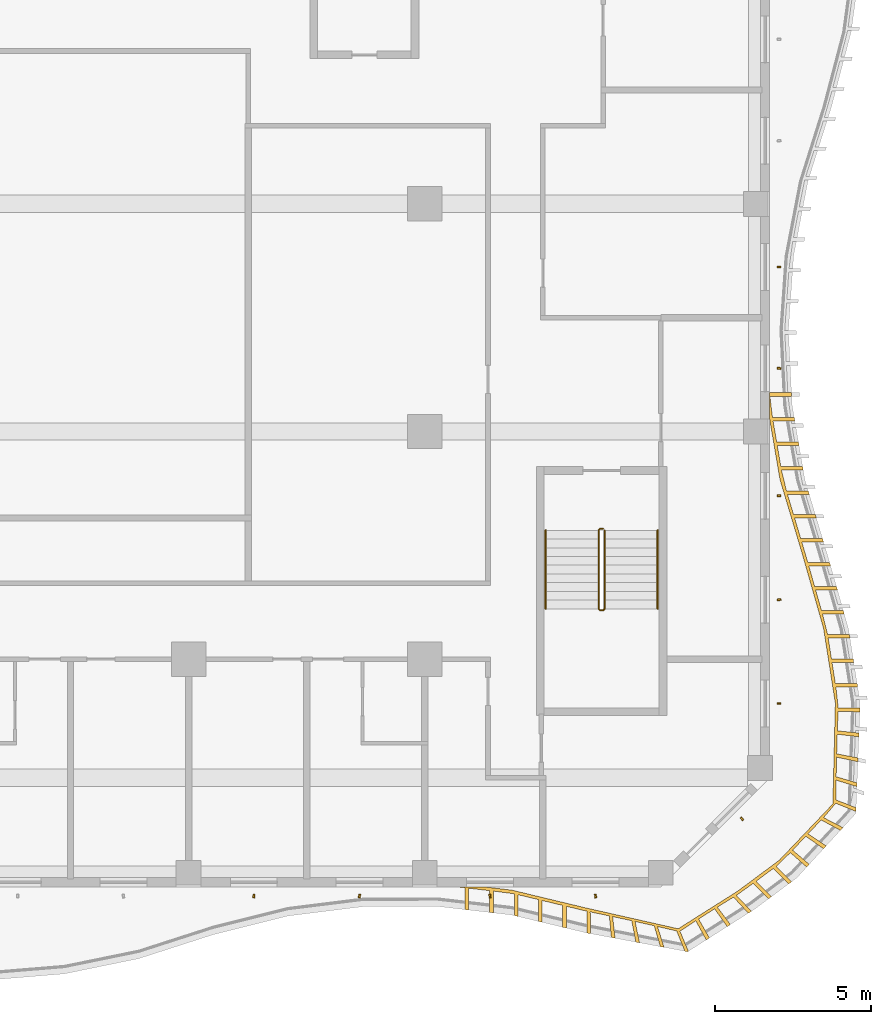
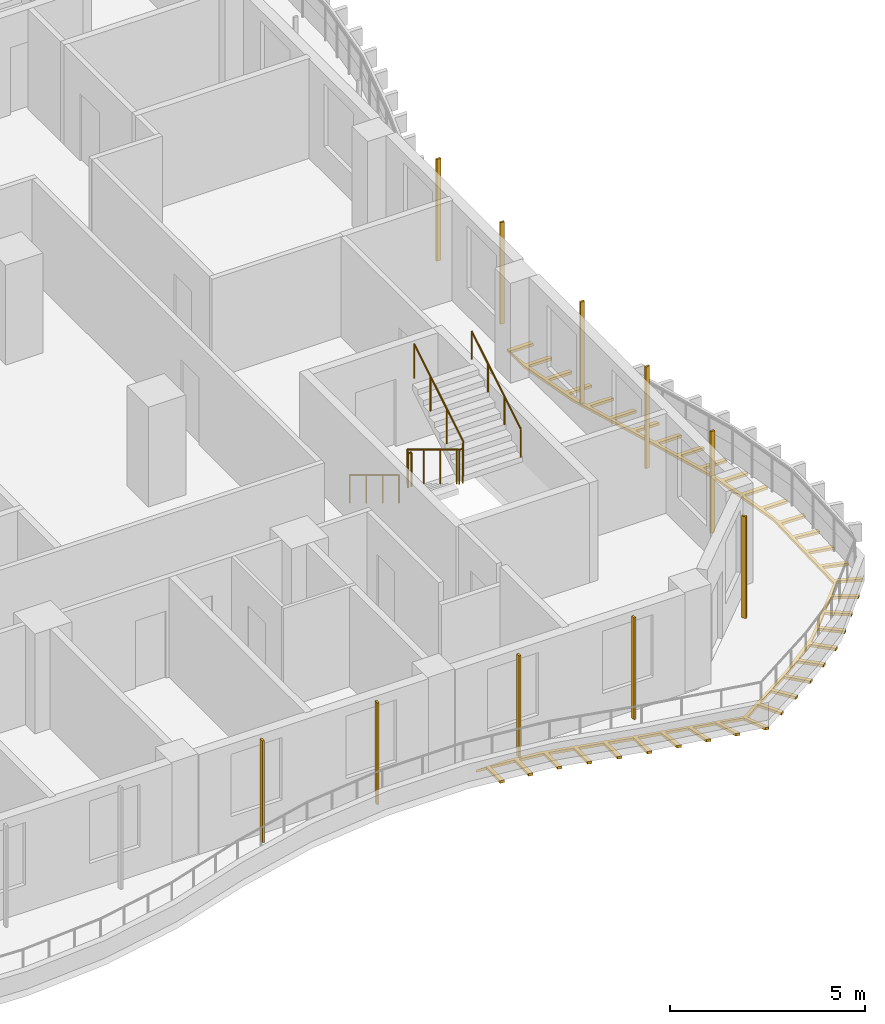
# One storey, part 18 of 23: 11 shading devices, 3 railings.
"""IFC4 building model written with IfcOpenShell, lengths in metres."""

from ifc_helpers import new_model, si_unit, direction, frame, origin, origin_2d, place, context, subcontext, project, spatial, polyline, rectangle, circle, outline, extrude, source, transform, mapped, material, layer, layer_set, material_profile, profile_set, type_object, element, save


model = new_model("IFC4")

# Units and contexts
model_context = context("Model", 3, precision=1e-05, world=origin(), true_north=direction((0.0, 1.0)))
body_context = subcontext(model_context, "Body", "Model", "MODEL_VIEW")
ifc_project = project(units=[si_unit("LENGTHUNIT", "METRE"), si_unit("AREAUNIT", "SQUARE_METRE"), si_unit("VOLUMEUNIT", "CUBIC_METRE"), si_unit("PLANEANGLEUNIT", "RADIAN"), si_unit("MASSUNIT", "GRAM", prefix="KILO")], contexts=[model_context])

# Site, building, storey
site_placement = place(None, origin())
site = spatial("IfcSite", under=ifc_project, at=site_placement, CompositionType="ELEMENT")
building_placement = place(site_placement, origin())
building = spatial("IfcBuilding", under=site, at=building_placement, Name="Kilnfold Tower and Market Hall", CompositionType="ELEMENT")
storey_placement = place(building_placement, frame((0.0, 0.0, 150.699951171875)))
storey = spatial("IfcBuildingStorey", under=building, at=storey_placement, Name="L34", CompositionType="ELEMENT", Elevation=150.699951171875)

# Railings
ifc_material_1 = material(Name="Stainless steel 316", Category="steel")
railing_type_1 = type_object("IfcRailingType", Name="CORE STAIR GUARD 1100", PredefinedType="GUARDRAIL", material=ifc_material_1)
railing_1_placement = place(storey_placement, frame((19.89990234375, -9.75, 0.0)))
element("IfcRailing", 1, at=railing_1_placement, inside=storey, type_object=railing_type_1, Name="L34 ST4 stair guard 1", PredefinedType="GUARDRAIL", context=body_context, shape_type="SweptSolid", body=[
    extrude(circle(Radius=0.02392578125, at=origin_2d()), frame((0.0, 0.0, 1.076171875), z_axis=(-1.0, 0.0, 0.0), x_axis=(0.0, -1.0, 0.0)), (0.0, 0.0, 1.0), 0.099853515625),
    extrude(circle(Radius=0.02392578125, at=origin_2d()), frame((-0.099853515625, 0.0, 1.076171875), z_axis=(-0.271562723297, -0.271562723297, 0.923313259209), x_axis=(0.707106781187, -0.707106781187, 0.0)), (0.0, 0.0, 1.0), 0.184326171875),
    extrude(circle(Radius=0.02392578125, at=origin_2d()), frame((-0.14990234375, -0.050048828125, 1.24609375), z_axis=(0.0, -0.854821627497, 0.518921945155), x_axis=(1.0, 0.0, 0.0)), (0.0, 0.0, 1.0), 2.947998046875),
    extrude(circle(Radius=0.02392578125, at=origin_2d()), frame((-0.14990234375, -2.570068359375, 2.77587890625), z_axis=(0.707106781187, -0.707106781187, 0.0), x_axis=(0.707106781187, 0.707106781187, 0.0)), (0.0, 0.0, 1.0), 0.07080078125),
    extrude(circle(Radius=0.02392578125, at=origin_2d()), frame((-0.099853515625, -2.6201171875, 2.77587890625), z_axis=(1.0, 0.0, 0.0), x_axis=(0.0, 1.0, 0.0)), (0.0, 0.0, 1.0), 0.099853515625),
    extrude(circle(Radius=0.02392578125, at=origin_2d()), frame((0.0, -2.6201171875, 2.77587890625), z_axis=(0.271562723297, 0.271562723297, 0.923313259209), x_axis=(-0.707106781187, 0.707106781187, 0.0)), (0.0, 0.0, 1.0), 0.184326171875),
    extrude(circle(Radius=0.02392578125, at=origin_2d()), frame((0.050048828125, -2.570068359375, 2.9462890625), z_axis=(0.0, 0.85478489116, 0.518982456201), x_axis=(-1.0, 0.0, 0.0)), (0.0, 0.0, 1.0), 2.9482421875),
    extrude(circle(Radius=0.02099609375, at=origin_2d()), origin(), (0.0, 0.0, 1.0), 1.052001953125),
    extrude(circle(Radius=0.02099609375, at=origin_2d()), frame((-0.099853515625, 0.0, 0.0)), (0.0, 0.0, 1.0), 1.052001953125),
    extrude(circle(Radius=0.02099609375, at=origin_2d()), frame((-0.14990234375, -0.050048828125, 0.170166015625)), (0.0, 0.0, 1.0), 1.052001953125),
    extrude(circle(Radius=0.02099609375, at=origin_2d()), frame((-0.14990234375, -0.89013671875, 0.68017578125)), (0.0, 0.0, 1.0), 1.052001953125),
    extrude(circle(Radius=0.02099609375, at=origin_2d()), frame((-0.14990234375, -1.72998046875, 1.18994140625)), (0.0, 0.0, 1.0), 1.052001953125),
    extrude(circle(Radius=0.02099609375, at=origin_2d()), frame((-0.14990234375, -2.570068359375, 1.699951171875)), (0.0, 0.0, 1.0), 1.052001953125),
    extrude(circle(Radius=0.02099609375, at=origin_2d()), frame((-0.099853515625, -2.6201171875, 1.699951171875)), (0.0, 0.0, 1.0), 1.052001953125),
    extrude(circle(Radius=0.02099609375, at=origin_2d()), frame((0.0, -2.6201171875, 1.699951171875)), (0.0, 0.0, 1.0), 1.052001953125),
    extrude(circle(Radius=0.02099609375, at=origin_2d()), frame((0.050048828125, -2.570068359375, 1.8701171875)), (0.0, 0.0, 1.0), 1.052001953125),
    extrude(circle(Radius=0.02099609375, at=origin_2d()), frame((0.050048828125, -1.72998046875, 2.380126953125)), (0.0, 0.0, 1.0), 1.052001953125),
    extrude(circle(Radius=0.02099609375, at=origin_2d()), frame((0.050048828125, -0.89013671875, 2.89013671875)), (0.0, 0.0, 1.0), 1.052001953125),
    extrude(circle(Radius=0.02099609375, at=origin_2d()), frame((0.050048828125, -0.050048828125, 3.400146484375)), (0.0, 0.0, 1.0), 1.052001953125),
])
ifc_material_2 = material(Name="Stainless steel 316", Category="steel")
railing_type_2 = type_object("IfcRailingType", Name="CORE STAIR HANDRAIL 900", PredefinedType="HANDRAIL", material=ifc_material_2)
railing_2_placement = place(storey_placement, frame((18.050048828125, -9.800048828125, 0.170166015625)))
element("IfcRailing", 2, at=railing_2_placement, inside=storey, type_object=railing_type_2, Name="L34 ST4 stair handrail 1", PredefinedType="HANDRAIL", context=body_context, shape_type="SweptSolid", body=[
    extrude(circle(Radius=0.02392578125, at=origin_2d()), frame((0.0, 0.0, 0.8759765625), z_axis=(0.0, -0.854821627497, 0.518921945155), x_axis=(1.0, 0.0, 0.0)), (0.0, 0.0, 1.0), 2.947998046875),
    extrude(circle(Radius=0.02099609375, at=origin_2d()), origin(), (0.0, 0.0, 1.0), 0.851806640625),
    extrude(circle(Radius=0.02099609375, at=origin_2d()), frame((0.0, -0.840087890625, 0.510009765625)), (0.0, 0.0, 1.0), 0.851806640625),
    extrude(circle(Radius=0.02099609375, at=origin_2d()), frame((0.0, -1.679931640625, 1.019775390625)), (0.0, 0.0, 1.0), 0.851806640625),
    extrude(circle(Radius=0.02099609375, at=origin_2d()), frame((0.0, -2.52001953125, 1.52978515625)), (0.0, 0.0, 1.0), 0.851806640625),
])
railing_3_placement = place(storey_placement, frame((21.64990234375, -12.320068359375, 1.8701171875)))
element("IfcRailing", 3, at=railing_3_placement, inside=storey, type_object=railing_type_2, Name="L34 ST4 stair handrail 2", PredefinedType="HANDRAIL", context=body_context, shape_type="SweptSolid", body=[
    extrude(circle(Radius=0.02392578125, at=origin_2d()), frame((0.0, 0.0, 0.8759765625), z_axis=(0.0, 0.85478489116, 0.518982456201), x_axis=(-1.0, 0.0, 0.0)), (0.0, 0.0, 1.0), 2.9482421875),
    extrude(circle(Radius=0.02099609375, at=origin_2d()), origin(), (0.0, 0.0, 1.0), 0.851806640625),
    extrude(circle(Radius=0.02099609375, at=origin_2d()), frame((0.0, 0.840087890625, 0.510009765625)), (0.0, 0.0, 1.0), 0.851806640625),
    extrude(circle(Radius=0.02099609375, at=origin_2d()), frame((0.0, 1.679931640625, 1.02001953125)), (0.0, 0.0, 1.0), 0.851806640625),
    extrude(circle(Radius=0.02099609375, at=origin_2d()), frame((0.0, 2.52001953125, 1.530029296875)), (0.0, 0.0, 1.0), 0.851806640625),
])

# Shading devices
ifc_material_3 = material(Name="Terracotta", Category="masonry")
ifc_material_profile = material_profile(ifc_material_3, rectangle(XDim=0.06005859375, YDim=0.1201171875, at=origin_2d()), Name="BAG 60x120")
ifc_profile_set = profile_set([ifc_material_profile], Name="Terracotta")
shading_device_type_1 = type_object("IfcShadingDeviceType", Name="BAGUETTE", PredefinedType="USERDEFINED", material=ifc_profile_set)
shared_shape_1 = source(origin(), body_context, "Body", "SweptSolid", [
    extrude(rectangle(XDim=0.06005859375, YDim=0.1201171875, at=origin_2d()), origin(), (0.0, 0.0, 1.0), 3.179931640625),
])
for number, where, z_axis, x_axis, name in (
    (4, (8.67919921875, -21.550048828125, 0.0), (0.0, 0.0, 1.0), (0.999261978121, -0.038412225675, 0.0), "Terracotta baguette L34 S"),
    (5, (12.07080078125, -21.550048828125, 0.0), (0.0, 0.0, 1.0), (0.990773877732, -0.135525360004, 0.0), "Terracotta baguette L34 S"),
    (6, (16.262451171875, -21.550048828125, 0.0), (0.0, 0.0, 1.0), (0.997419400003, 0.071795128644, 0.0), "Terracotta baguette L34 S"),
    (7, (19.654296875, -21.550048828125, 0.0), (0.0, 0.0, 1.0), (0.992436637622, 0.122757974512, 0.0), "Terracotta baguette L34 S"),
    (8, (24.35498046875, -19.0693359375, 0.0), (0.0, 0.0, 1.0), (0.797115193851, 0.60382726647, 0.0), "Terracotta baguette L34 SE"),
    (9, (25.550048828125, -15.364013671875, 0.0), (0.0, 0.0, 1.0), (-0.001738347059, 0.999998489074, 0.0), "Terracotta baguette L34 E"),
    (10, (25.550048828125, -12.0283203125, 0.0), (0.0, 0.0, 1.0), (-0.138913844619, 0.990304470238, 0.0), "Terracotta baguette L34 E"),
    (11, (25.550048828125, -8.69287109375, 0.0), (0.0, 0.0, 1.0), (-0.018806559238, 0.999823141025, 0.0), "Terracotta baguette L34 E"),
    (12, (25.550048828125, -4.596923828125, 0.0), (0.0, 0.0, 1.0), (0.137964885354, 0.990437120876, 0.0), "Terracotta baguette L34 E"),
    (13, (25.550048828125, -1.3408203125, 0.0), (0.0, 0.0, 1.0), (-0.003200928382, 0.999994877016, 0.0), "Terracotta baguette L34 E"),
):
    element("IfcShadingDevice", number, at=place(storey_placement, frame(where, z_axis=z_axis, x_axis=x_axis)), inside=storey, type_object=shading_device_type_1, Name=name, ObjectType="BAGUETTE", PredefinedType="USERDEFINED", context=body_context, shape_type="MappedRepresentation", body=[
        mapped(shared_shape_1, transform((0.0, 0.0, 0.0))),
    ])
ifc_material_4 = material(Name="Bronze anodised aluminium", Category="aluminium")
ifc_layer = layer(ifc_material_4, 0.080078125)
ifc_layer_set = layer_set([ifc_layer], Name="Bronze anodised aluminium")
shading_device_type_2 = type_object("IfcShadingDeviceType", Name="BRONZE SLAT SOFFIT 80", PredefinedType="USERDEFINED", material=ifc_layer_set)
shared_shape_2 = source(origin(), body_context, "Body", "SweptSolid", [
    extrude(outline(polyline([(16.96044921875, -21.35693359375), (19.355224609375, -21.93212890625), (22.308837890625, -22.59912109375), (24.221923828125, -21.388671875), (25.560546875, -20.393798828125), (27.277587890625, -18.58984375), (27.357177734375, -15.355224609375), (26.98046875, -12.96044921875), (26.297119140625, -10.56591796875), (25.579345703125, -8.171142578125), (25.25, -6.244873046875), (25.25, -5.37548828125), (25.9501953125, -5.380126953125), (25.956298828125, -5.5), (25.256103515625, -5.5), (25.337890625, -6.173828125), (26.037841796875, -6.173828125), (26.05810546875, -6.2919921875), (25.358154296875, -6.2919921875), (25.47265625, -6.96240234375), (26.172607421875, -6.96240234375), (26.19287109375, -7.080810546875), (25.492919921875, -7.080810546875), (25.607421875, -7.7509765625), (26.3076171875, -7.7509765625), (26.32763671875, -7.869140625), (25.627685546875, -7.869140625), (25.78662109375, -8.529052734375), (26.486572265625, -8.529052734375), (26.52099609375, -8.64404296875), (25.821044921875, -8.64404296875), (26.016357421875, -9.29541015625), (26.71630859375, -9.29541015625), (26.750732421875, -9.410400390625), (26.05078125, -9.410400390625), (26.24609375, -10.061767578125), (26.946044921875, -10.061767578125), (26.98046875, -10.1767578125), (26.280517578125, -10.1767578125), (26.47216796875, -10.8291015625), (27.172119140625, -10.8291015625), (27.205078125, -10.944580078125), (26.505126953125, -10.944580078125), (26.691650390625, -11.598388671875), (27.3916015625, -11.598388671875), (27.4248046875, -11.7138671875), (26.724609375, -11.7138671875), (26.9111328125, -12.36767578125), (27.611083984375, -12.36767578125), (27.644287109375, -12.483154296875), (26.944091796875, -12.483154296875), (27.10888671875, -13.141845703125), (27.808837890625, -13.141845703125), (27.82763671875, -13.26025390625), (27.127685546875, -13.26025390625), (27.2333984375, -13.931884765625), (27.933349609375, -13.931884765625), (27.951904296875, -14.050537109375), (27.251953125, -14.050537109375), (27.357666015625, -14.722412109375), (28.0576171875, -14.722412109375), (28.076416015625, -14.8408203125), (27.376220703125, -14.8408203125), (27.450927734375, -15.502197265625), (28.15087890625, -15.514404296875), (28.14599609375, -15.63427734375), (27.446533203125, -15.613037109375), (27.423095703125, -16.239990234375), (28.119140625, -16.313720703125), (28.114501953125, -16.43359375), (27.419189453125, -16.350830078125), (27.400634765625, -16.9775390625), (28.08740234375, -17.11328125), (28.082763671875, -17.233154296875), (27.397705078125, -17.088134765625), (27.3837890625, -17.716064453125), (28.0556640625, -17.91259765625), (28.051025390625, -18.032470703125), (27.3818359375, -17.826904296875), (27.3720703125, -18.45703125), (28.02392578125, -18.7119140625), (28.019287109375, -18.831787109375), (27.37060546875, -18.568359375), (26.979248046875, -19.02783203125), (27.600830078125, -19.35009765625), (27.519775390625, -19.4384765625), (26.90380859375, -19.10595703125), (26.479248046875, -19.5498046875), (27.060302734375, -19.93994140625), (26.979248046875, -20.0283203125), (26.40478515625, -19.62841796875), (25.986572265625, -20.076416015625), (26.52001953125, -20.52978515625), (26.43896484375, -20.618408203125), (25.913330078125, -20.156005859375), (25.45703125, -20.593994140625), (25.951904296875, -21.089111328125), (25.855712890625, -21.16064453125), (25.360595703125, -20.665771484375), (24.81494140625, -21.0712890625), (25.309814453125, -21.56640625), (25.21337890625, -21.6376953125), (24.718505859375, -21.142822265625), (24.177734375, -21.52880859375), (24.66162109375, -22.03466796875), (24.560302734375, -22.09912109375), (24.085693359375, -21.58447265625), (23.568115234375, -21.903564453125), (23.98681640625, -22.46435546875), (23.8857421875, -22.52880859375), (23.477294921875, -21.960205078125), (22.965576171875, -22.285888671875), (23.312255859375, -22.894287109375), (23.2109375, -22.958740234375), (22.875732421875, -22.34423828125), (22.366943359375, -22.678466796875), (22.637451171875, -23.323974609375), (22.614990234375, -23.33837890625), (22.523193359375, -23.3212890625), (22.26220703125, -22.671630859375), (21.646484375, -22.528564453125), (21.8544921875, -23.197021484375), (21.73681640625, -23.175048828125), (21.5380859375, -22.50390625), (20.924560546875, -22.365478515625), (21.068115234375, -23.05078125), (20.9501953125, -23.02880859375), (20.81640625, -22.341552734375), (20.204345703125, -22.208740234375), (20.281494140625, -22.904296875), (20.16357421875, -22.882568359375), (20.09619140625, -22.185791015625), (19.4833984375, -22.058349609375), (19.4951171875, -22.75830078125), (19.377197265625, -22.736328125), (19.375244140625, -22.036376953125), (18.7158203125, -21.87841796875), (18.7158203125, -22.57861328125), (18.59912109375, -22.550537109375), (18.59912109375, -21.8505859375), (17.937744140625, -21.691650390625), (17.937744140625, -22.3916015625), (17.821044921875, -22.363525390625), (17.821044921875, -21.66357421875), (17.159912109375, -21.5048828125), (17.159912109375, -22.204833984375), (17.043212890625, -22.1767578125), (17.043212890625, -21.476806640625), (16.369384765625, -21.388671875), (16.369384765625, -22.088623046875), (16.250244140625, -22.074951171875), (16.250244140625, -21.375), (15.57470703125, -21.297119140625), (15.57470703125, -21.9970703125), (15.45556640625, -21.9833984375), (15.45556640625, -21.283203125), (15.167236328125, -21.25), (16.033935546875, -21.25), (16.96044921875, -21.35693359375)])), origin(), (0.0, 0.0, 1.0), 0.080078125),
])
shading_device_placement = place(storey_placement, frame((0.0, 0.0, -0.300048828125)))
element("IfcShadingDevice", 14, at=shading_device_placement, inside=storey, type_object=shading_device_type_2, Name="Balcony soffit slats L34", ObjectType="SLAT", PredefinedType="USERDEFINED", context=body_context, shape_type="MappedRepresentation", body=[
    mapped(shared_shape_2, transform((0.0, 0.0, 0.0))),
])

save(model, "model.ifc")
